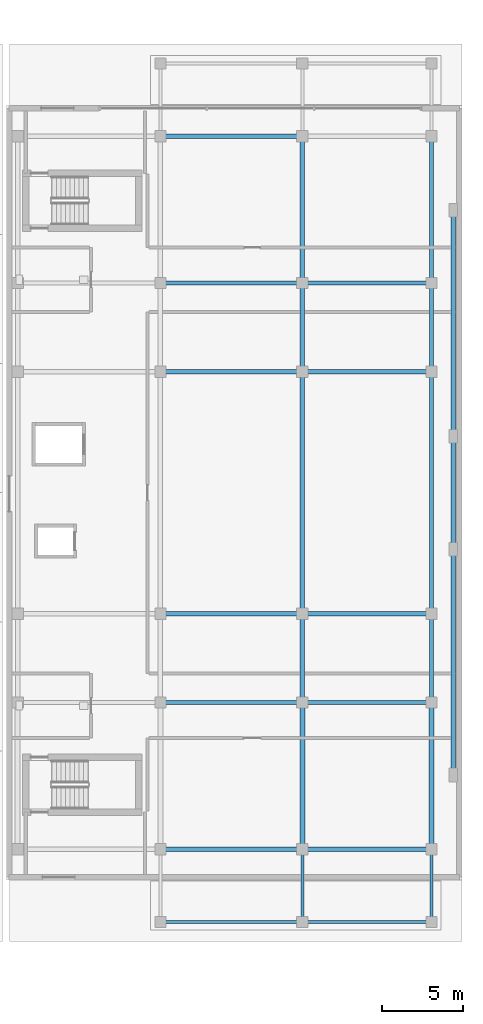
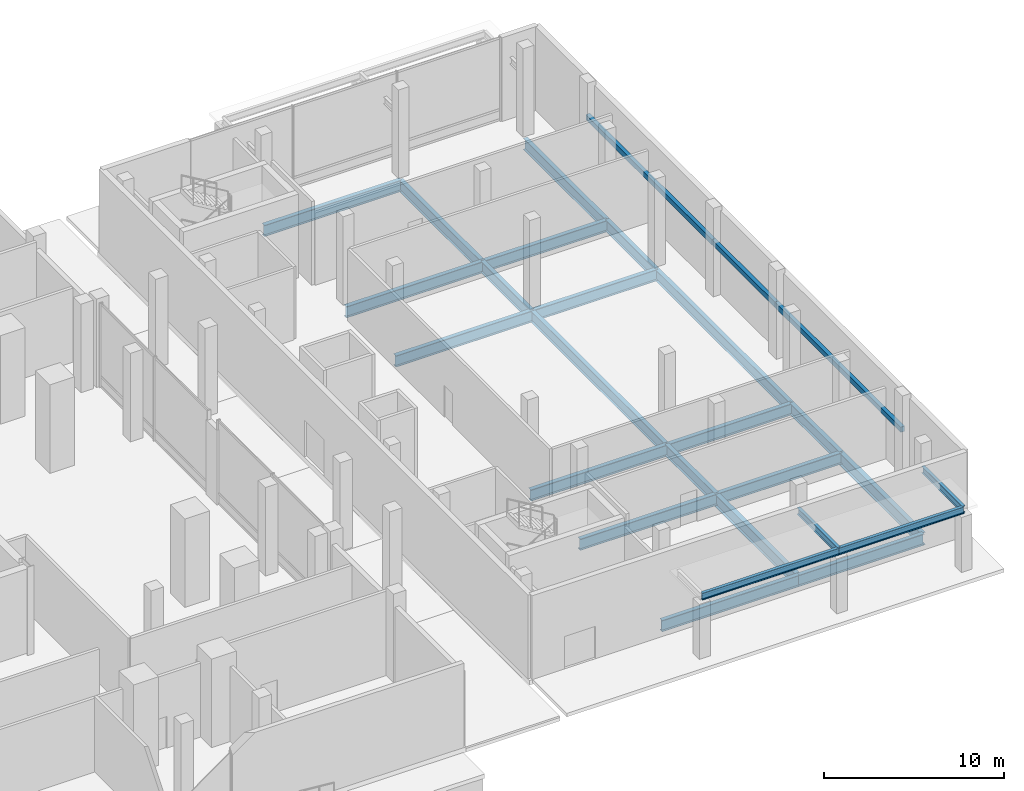
# One storey, part 21 of 34: 28 beams.
"""IFC4 building model written with IfcOpenShell, lengths in metres."""

from ifc_helpers import new_model, si_unit, direction, frame, origin, origin_2d, place, context, subcontext, project, spatial, rectangle, i_section, extrude, material, material_profile, profile_set, type_object, element, save


model = new_model("IFC4")

# Units and contexts
model_context = context("Model", 3, precision=1e-05, world=origin(), true_north=direction((0.0, 1.0)))
body_context = subcontext(model_context, "Body", "Model", "MODEL_VIEW")
ifc_project = project(units=[si_unit("LENGTHUNIT", "METRE"), si_unit("AREAUNIT", "SQUARE_METRE"), si_unit("VOLUMEUNIT", "CUBIC_METRE"), si_unit("PLANEANGLEUNIT", "RADIAN"), si_unit("MASSUNIT", "GRAM", prefix="KILO")], contexts=[model_context])

# Site, building, storey
site_placement = place(None, origin())
site = spatial("IfcSite", under=ifc_project, at=site_placement, CompositionType="ELEMENT")
building_placement = place(site_placement, origin())
building = spatial("IfcBuilding", under=site, at=building_placement, Name="Barlavira Tower and Art Museum", CompositionType="ELEMENT")
storey_placement = place(building_placement, origin())
storey = spatial("IfcBuildingStorey", under=building, at=storey_placement, Name="L00", CompositionType="ELEMENT", Elevation=0.0)

# Beams
ifc_material_1 = material(Name="Steel S355", Category="steel")
ifc_material_profile_1 = material_profile(ifc_material_1, i_section(OverallWidth=0.194091796875, OverallDepth=0.468994140625, WebThickness=0.0126953125, FlangeThickness=0.0205078125, at=origin_2d()), Name="W460x106.0")
ifc_profile_set_1 = profile_set([ifc_material_profile_1], Name="Steel S355")
beam_type_1 = type_object("IfcBeamType", Name="Covered Arcade Roof Girder W460x106 Steel S355", PredefinedType="BEAM", material=ifc_profile_set_1)
beam_1_placement = place(storey_placement, frame((38.800048828125, -26.60009765625, 3.965576171875), z_axis=(1.0, 0.0, 0.0), x_axis=(0.0, 1.0, 0.0)))
element("IfcBeam", 1, at=beam_1_placement, inside=storey, type_object=beam_type_1, Name="L00 S Pergola Longitudinal Girder 1", PredefinedType="BEAM", context=body_context, shape_type="SweptSolid", body=[
    extrude(i_section(OverallWidth=0.194091796875, OverallDepth=0.468994140625, WebThickness=0.0126953125, FlangeThickness=0.0205078125, at=origin_2d()), origin(), (0.0, 0.0, 1.0), 8.800048828125),
])
beam_2_placement = place(storey_placement, frame((47.60009765625, -26.60009765625, 3.965576171875), z_axis=(1.0, 0.0, 0.0), x_axis=(0.0, 1.0, 0.0)))
element("IfcBeam", 2, at=beam_2_placement, inside=storey, type_object=beam_type_1, Name="L00 S Pergola Longitudinal Girder 2", PredefinedType="BEAM", context=body_context, shape_type="SweptSolid", body=[
    extrude(i_section(OverallWidth=0.194091796875, OverallDepth=0.468994140625, WebThickness=0.0126953125, FlangeThickness=0.0205078125, at=origin_2d()), origin(), (0.0, 0.0, 1.0), 8.0),
])
for number, where, z_axis, x_axis, name in (
    (3, (47.60009765625, -26.60009765625, 3.965576171875), (0.0, 1.0, 0.0), (-1.0, 0.0, 0.0), "L00 S Pergola Tie Beam 2"),
    (4, (55.60009765625, -26.60009765625, 3.965576171875), (0.0, 1.0, 0.0), (-1.0, 0.0, 0.0), "L00 S Pergola Tie Beam 3"),
):
    element("IfcBeam", number, at=place(storey_placement, frame(where, z_axis=z_axis, x_axis=x_axis)), inside=storey, type_object=beam_type_1, Name=name, PredefinedType="BEAM", context=body_context, shape_type="SweptSolid", body=[
        extrude(i_section(OverallWidth=0.194091796875, OverallDepth=0.468994140625, WebThickness=0.0126953125, FlangeThickness=0.0205078125, at=origin_2d()), origin(), (0.0, 0.0, 1.0), 4.5),
    ])
ifc_material_profile_2 = material_profile(ifc_material_1, i_section(OverallWidth=0.2939453125, OverallDepth=0.85107421875, WebThickness=0.017333984375, FlangeThickness=0.0283203125, at=origin_2d()), Name="W840x251.0")
ifc_profile_set_2 = profile_set([ifc_material_profile_2], Name="Steel S355")
beam_type_2 = type_object("IfcBeamType", Name="Museum Auditorium Heavy Girder W840x251 Steel S355", PredefinedType="BEAM", material=ifc_profile_set_2)
for number, where, z_axis, x_axis, name in (
    (5, (47.60009765625, -22.10009765625, -0.775390625), (0.0, 1.0, 0.0), (-1.0, 0.0, 0.0), "L00 Museum Girder Y 3-1"),
    (6, (55.60009765625, -22.10009765625, -0.775390625), (0.0, 1.0, 0.0), (-1.0, 0.0, 0.0), "L00 Museum Girder Y 4-1"),
):
    element("IfcBeam", number, at=place(storey_placement, frame(where, z_axis=z_axis, x_axis=x_axis)), inside=storey, type_object=beam_type_2, Name=name, PredefinedType="BEAM", context=body_context, shape_type="SweptSolid", body=[
        extrude(i_section(OverallWidth=0.2939453125, OverallDepth=0.85107421875, WebThickness=0.017333984375, FlangeThickness=0.0283203125, at=origin_2d()), origin(), (0.0, 0.0, 1.0), 9.10009765625),
    ])
ifc_material_profile_3 = material_profile(ifc_material_1, i_section(OverallWidth=0.26904296875, OverallDepth=0.76806640625, WebThickness=0.016845703125, FlangeThickness=0.026611328125, at=origin_2d()), Name="W760x220.0")
ifc_profile_set_3 = profile_set([ifc_material_profile_3], Name="Steel S355")
beam_type_3 = type_object("IfcBeamType", Name="Museum Long-Span Gallery Girder W760x220 Steel S355", PredefinedType="BEAM", material=ifc_profile_set_3)
beam_3_placement = place(storey_placement, frame((47.60009765625, -13.0, -0.73388671875), z_axis=(0.0, 1.0, 0.0), x_axis=(-1.0, 0.0, 0.0)))
element("IfcBeam", 7, at=beam_3_placement, inside=storey, type_object=beam_type_3, Name="L00 Museum Girder Y 3-2", PredefinedType="BEAM", context=body_context, shape_type="SweptSolid", body=[
    extrude(i_section(OverallWidth=0.26904296875, OverallDepth=0.76806640625, WebThickness=0.016845703125, FlangeThickness=0.026611328125, at=origin_2d()), origin(), (0.0, 0.0, 1.0), 5.5),
])
beam_4_placement = place(storey_placement, frame((47.60009765625, -7.5, -0.73388671875), z_axis=(0.0, 1.0, 0.0), x_axis=(-1.0, 0.0, 0.0)))
element("IfcBeam", 8, at=beam_4_placement, inside=storey, type_object=beam_type_3, Name="L00 Museum Girder Y 3-3", PredefinedType="BEAM", context=body_context, shape_type="SweptSolid", body=[
    extrude(i_section(OverallWidth=0.26904296875, OverallDepth=0.76806640625, WebThickness=0.016845703125, FlangeThickness=0.026611328125, at=origin_2d()), origin(), (0.0, 0.0, 1.0), 15.0),
])
beam_5_placement = place(storey_placement, frame((47.60009765625, 7.5, -0.73388671875), z_axis=(0.0, 1.0, 0.0), x_axis=(-1.0, 0.0, 0.0)))
element("IfcBeam", 9, at=beam_5_placement, inside=storey, type_object=beam_type_3, Name="L00 Museum Girder Y 3-4", PredefinedType="BEAM", context=body_context, shape_type="SweptSolid", body=[
    extrude(i_section(OverallWidth=0.26904296875, OverallDepth=0.76806640625, WebThickness=0.016845703125, FlangeThickness=0.026611328125, at=origin_2d()), origin(), (0.0, 0.0, 1.0), 5.5),
])
beam_6_placement = place(storey_placement, frame((47.60009765625, 13.0, -0.73388671875), z_axis=(0.0, 1.0, 0.0), x_axis=(-1.0, 0.0, 0.0)))
element("IfcBeam", 10, at=beam_6_placement, inside=storey, type_object=beam_type_3, Name="L00 Museum Girder Y 3-5", PredefinedType="BEAM", context=body_context, shape_type="SweptSolid", body=[
    extrude(i_section(OverallWidth=0.26904296875, OverallDepth=0.76806640625, WebThickness=0.016845703125, FlangeThickness=0.026611328125, at=origin_2d()), origin(), (0.0, 0.0, 1.0), 9.10009765625),
])
beam_7_placement = place(storey_placement, frame((55.60009765625, -13.0, -0.73388671875), z_axis=(0.0, 1.0, 0.0), x_axis=(-1.0, 0.0, 0.0)))
element("IfcBeam", 11, at=beam_7_placement, inside=storey, type_object=beam_type_3, Name="L00 Museum Girder Y 4-2", PredefinedType="BEAM", context=body_context, shape_type="SweptSolid", body=[
    extrude(i_section(OverallWidth=0.26904296875, OverallDepth=0.76806640625, WebThickness=0.016845703125, FlangeThickness=0.026611328125, at=origin_2d()), origin(), (0.0, 0.0, 1.0), 5.5),
])
beam_8_placement = place(storey_placement, frame((55.60009765625, -7.5, -0.73388671875), z_axis=(0.0, 1.0, 0.0), x_axis=(-1.0, 0.0, 0.0)))
element("IfcBeam", 12, at=beam_8_placement, inside=storey, type_object=beam_type_3, Name="L00 Museum Girder Y 4-3", PredefinedType="BEAM", context=body_context, shape_type="SweptSolid", body=[
    extrude(i_section(OverallWidth=0.26904296875, OverallDepth=0.76806640625, WebThickness=0.016845703125, FlangeThickness=0.026611328125, at=origin_2d()), origin(), (0.0, 0.0, 1.0), 15.0),
])
beam_9_placement = place(storey_placement, frame((55.60009765625, 7.5, -0.73388671875), z_axis=(0.0, 1.0, 0.0), x_axis=(-1.0, 0.0, 0.0)))
element("IfcBeam", 13, at=beam_9_placement, inside=storey, type_object=beam_type_3, Name="L00 Museum Girder Y 4-4", PredefinedType="BEAM", context=body_context, shape_type="SweptSolid", body=[
    extrude(i_section(OverallWidth=0.26904296875, OverallDepth=0.76806640625, WebThickness=0.016845703125, FlangeThickness=0.026611328125, at=origin_2d()), origin(), (0.0, 0.0, 1.0), 5.5),
])
beam_10_placement = place(storey_placement, frame((55.60009765625, 13.0, -0.73388671875), z_axis=(0.0, 1.0, 0.0), x_axis=(-1.0, 0.0, 0.0)))
element("IfcBeam", 14, at=beam_10_placement, inside=storey, type_object=beam_type_3, Name="L00 Museum Girder Y 4-5", PredefinedType="BEAM", context=body_context, shape_type="SweptSolid", body=[
    extrude(i_section(OverallWidth=0.26904296875, OverallDepth=0.76806640625, WebThickness=0.016845703125, FlangeThickness=0.026611328125, at=origin_2d()), origin(), (0.0, 0.0, 1.0), 9.10009765625),
])
beam_11_placement = place(storey_placement, frame((38.800048828125, -22.10009765625, -0.73388671875), z_axis=(1.0, 0.0, 0.0), x_axis=(0.0, 1.0, 0.0)))
element("IfcBeam", 15, at=beam_11_placement, inside=storey, type_object=beam_type_3, Name="L00 Museum Girder X 1-2", PredefinedType="BEAM", context=body_context, shape_type="SweptSolid", body=[
    extrude(i_section(OverallWidth=0.26904296875, OverallDepth=0.76806640625, WebThickness=0.016845703125, FlangeThickness=0.026611328125, at=origin_2d()), origin(), (0.0, 0.0, 1.0), 8.800048828125),
])
beam_12_placement = place(storey_placement, frame((47.60009765625, -22.10009765625, -0.73388671875), z_axis=(1.0, 0.0, 0.0), x_axis=(0.0, 1.0, 0.0)))
element("IfcBeam", 16, at=beam_12_placement, inside=storey, type_object=beam_type_3, Name="L00 Museum Girder X 1-3", PredefinedType="BEAM", context=body_context, shape_type="SweptSolid", body=[
    extrude(i_section(OverallWidth=0.26904296875, OverallDepth=0.76806640625, WebThickness=0.016845703125, FlangeThickness=0.026611328125, at=origin_2d()), origin(), (0.0, 0.0, 1.0), 8.0),
])
beam_13_placement = place(storey_placement, frame((38.800048828125, -13.0, -0.73388671875), z_axis=(1.0, 0.0, 0.0), x_axis=(0.0, 1.0, 0.0)))
element("IfcBeam", 17, at=beam_13_placement, inside=storey, type_object=beam_type_3, Name="L00 Museum Girder X 2-2", PredefinedType="BEAM", context=body_context, shape_type="SweptSolid", body=[
    extrude(i_section(OverallWidth=0.26904296875, OverallDepth=0.76806640625, WebThickness=0.016845703125, FlangeThickness=0.026611328125, at=origin_2d()), origin(), (0.0, 0.0, 1.0), 8.800048828125),
])
beam_14_placement = place(storey_placement, frame((47.60009765625, -13.0, -0.73388671875), z_axis=(1.0, 0.0, 0.0), x_axis=(0.0, 1.0, 0.0)))
element("IfcBeam", 18, at=beam_14_placement, inside=storey, type_object=beam_type_3, Name="L00 Museum Girder X 2-3", PredefinedType="BEAM", context=body_context, shape_type="SweptSolid", body=[
    extrude(i_section(OverallWidth=0.26904296875, OverallDepth=0.76806640625, WebThickness=0.016845703125, FlangeThickness=0.026611328125, at=origin_2d()), origin(), (0.0, 0.0, 1.0), 8.0),
])
beam_15_placement = place(storey_placement, frame((38.800048828125, -7.5, -0.73388671875), z_axis=(1.0, 0.0, 0.0), x_axis=(0.0, 1.0, 0.0)))
element("IfcBeam", 19, at=beam_15_placement, inside=storey, type_object=beam_type_3, Name="L00 Museum Girder X 3-2", PredefinedType="BEAM", context=body_context, shape_type="SweptSolid", body=[
    extrude(i_section(OverallWidth=0.26904296875, OverallDepth=0.76806640625, WebThickness=0.016845703125, FlangeThickness=0.026611328125, at=origin_2d()), origin(), (0.0, 0.0, 1.0), 8.800048828125),
])
beam_16_placement = place(storey_placement, frame((47.60009765625, -7.5, -0.73388671875), z_axis=(1.0, 0.0, 0.0), x_axis=(0.0, 1.0, 0.0)))
element("IfcBeam", 20, at=beam_16_placement, inside=storey, type_object=beam_type_3, Name="L00 Museum Girder X 3-3", PredefinedType="BEAM", context=body_context, shape_type="SweptSolid", body=[
    extrude(i_section(OverallWidth=0.26904296875, OverallDepth=0.76806640625, WebThickness=0.016845703125, FlangeThickness=0.026611328125, at=origin_2d()), origin(), (0.0, 0.0, 1.0), 8.0),
])
beam_17_placement = place(storey_placement, frame((38.800048828125, 7.5, -0.73388671875), z_axis=(1.0, 0.0, 0.0), x_axis=(0.0, 1.0, 0.0)))
element("IfcBeam", 21, at=beam_17_placement, inside=storey, type_object=beam_type_3, Name="L00 Museum Girder X 4-2", PredefinedType="BEAM", context=body_context, shape_type="SweptSolid", body=[
    extrude(i_section(OverallWidth=0.26904296875, OverallDepth=0.76806640625, WebThickness=0.016845703125, FlangeThickness=0.026611328125, at=origin_2d()), origin(), (0.0, 0.0, 1.0), 8.800048828125),
])
beam_18_placement = place(storey_placement, frame((47.60009765625, 7.5, -0.73388671875), z_axis=(1.0, 0.0, 0.0), x_axis=(0.0, 1.0, 0.0)))
element("IfcBeam", 22, at=beam_18_placement, inside=storey, type_object=beam_type_3, Name="L00 Museum Girder X 4-3", PredefinedType="BEAM", context=body_context, shape_type="SweptSolid", body=[
    extrude(i_section(OverallWidth=0.26904296875, OverallDepth=0.76806640625, WebThickness=0.016845703125, FlangeThickness=0.026611328125, at=origin_2d()), origin(), (0.0, 0.0, 1.0), 8.0),
])
beam_19_placement = place(storey_placement, frame((38.800048828125, 13.0, -0.73388671875), z_axis=(1.0, 0.0, 0.0), x_axis=(0.0, 1.0, 0.0)))
element("IfcBeam", 23, at=beam_19_placement, inside=storey, type_object=beam_type_3, Name="L00 Museum Girder X 5-2", PredefinedType="BEAM", context=body_context, shape_type="SweptSolid", body=[
    extrude(i_section(OverallWidth=0.26904296875, OverallDepth=0.76806640625, WebThickness=0.016845703125, FlangeThickness=0.026611328125, at=origin_2d()), origin(), (0.0, 0.0, 1.0), 8.800048828125),
])
beam_20_placement = place(storey_placement, frame((47.60009765625, 13.0, -0.73388671875), z_axis=(1.0, 0.0, 0.0), x_axis=(0.0, 1.0, 0.0)))
element("IfcBeam", 24, at=beam_20_placement, inside=storey, type_object=beam_type_3, Name="L00 Museum Girder X 5-3", PredefinedType="BEAM", context=body_context, shape_type="SweptSolid", body=[
    extrude(i_section(OverallWidth=0.26904296875, OverallDepth=0.76806640625, WebThickness=0.016845703125, FlangeThickness=0.026611328125, at=origin_2d()), origin(), (0.0, 0.0, 1.0), 8.0),
])
beam_21_placement = place(storey_placement, frame((38.800048828125, 22.10009765625, -0.73388671875), z_axis=(1.0, 0.0, 0.0), x_axis=(0.0, 1.0, 0.0)))
element("IfcBeam", 25, at=beam_21_placement, inside=storey, type_object=beam_type_3, Name="L00 Museum Girder X 6-2", PredefinedType="BEAM", context=body_context, shape_type="SweptSolid", body=[
    extrude(i_section(OverallWidth=0.26904296875, OverallDepth=0.76806640625, WebThickness=0.016845703125, FlangeThickness=0.026611328125, at=origin_2d()), origin(), (0.0, 0.0, 1.0), 8.800048828125),
])
ifc_material_2 = material(Name="Precast concrete C40", Category="concrete")
ifc_material_profile_4 = material_profile(ifc_material_2, rectangle(XDim=0.25, YDim=0.35009765625, at=origin_2d()), Name="RC-LNT 250x350")
ifc_profile_set_4 = profile_set([ifc_material_profile_4], Name="Precast concrete C40")
beam_type_4 = type_object("IfcBeamType", Name="Precast Concrete Opening Lintel 250x350 Concrete C40", PredefinedType="LINTEL", material=ifc_profile_set_4)
beam_22_placement = place(storey_placement, frame((56.949951171875, -17.5, 3.39990234375), z_axis=(0.0, 1.0, 0.0), x_axis=(-1.0, 0.0, 0.0)))
element("IfcBeam", 26, at=beam_22_placement, inside=storey, type_object=beam_type_4, Name="L00 Museum Facade Lintel 1", PredefinedType="LINTEL", context=body_context, shape_type="SweptSolid", body=[
    extrude(rectangle(XDim=0.25, YDim=0.35009765625, at=origin_2d()), origin(), (0.0, 0.0, 1.0), 14.0),
])
beam_23_placement = place(storey_placement, frame((56.949951171875, -3.5, 3.39990234375), z_axis=(0.0, 1.0, 0.0), x_axis=(-1.0, 0.0, 0.0)))
element("IfcBeam", 27, at=beam_23_placement, inside=storey, type_object=beam_type_4, Name="L00 Museum Facade Lintel 2", PredefinedType="LINTEL", context=body_context, shape_type="SweptSolid", body=[
    extrude(rectangle(XDim=0.25, YDim=0.35009765625, at=origin_2d()), origin(), (0.0, 0.0, 1.0), 7.0),
])
beam_24_placement = place(storey_placement, frame((56.949951171875, 3.5, 3.39990234375), z_axis=(0.0, 1.0, 0.0), x_axis=(-1.0, 0.0, 0.0)))
element("IfcBeam", 28, at=beam_24_placement, inside=storey, type_object=beam_type_4, Name="L00 Museum Facade Lintel 3", PredefinedType="LINTEL", context=body_context, shape_type="SweptSolid", body=[
    extrude(rectangle(XDim=0.25, YDim=0.35009765625, at=origin_2d()), origin(), (0.0, 0.0, 1.0), 14.0),
])

save(model, "model.ifc")
